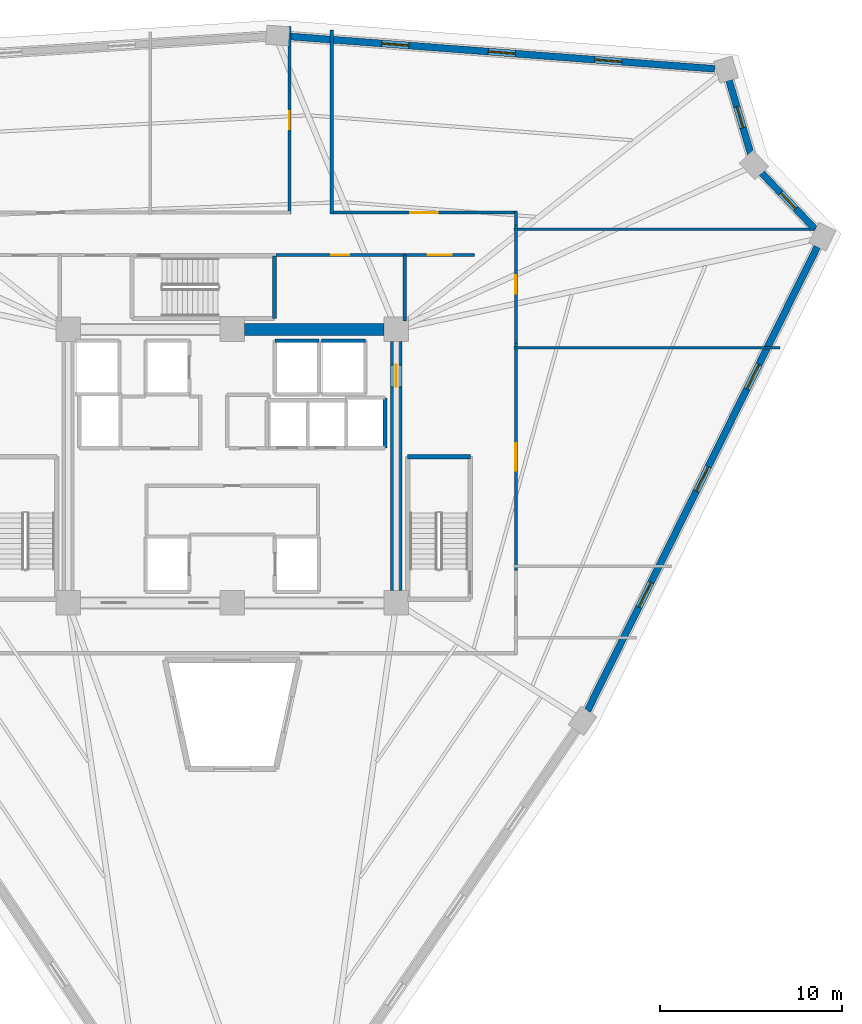
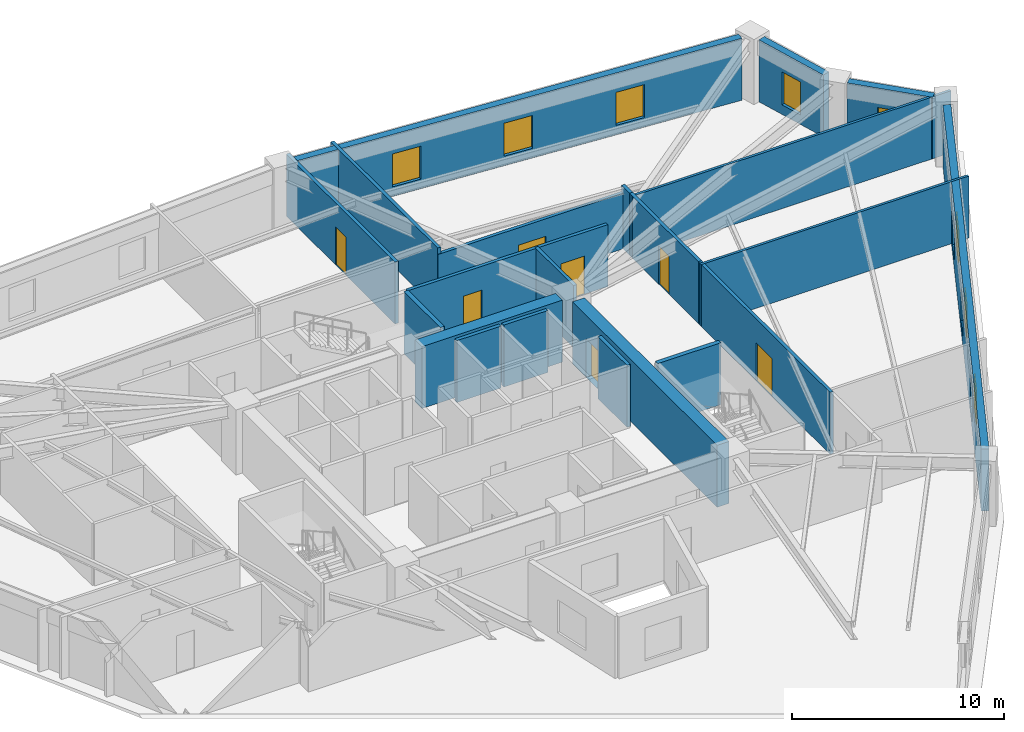
# One storey, part 6 of 8: 22 walls, 8 windows, 7 doors, 15 openings.
"""IFC4 building model written with IfcOpenShell, lengths in metres."""

from ifc_helpers import new_model, si_unit, direction, frame, frame_2d, origin, place, context, subcontext, project, spatial, rectangle, extrude, source, transform, mapped, material, layer, layer_set, type_object, element, fill, save


model = new_model("IFC4")

# Units and contexts
model_context = context("Model", 3, precision=1e-05, world=origin(), true_north=direction((0.0, 1.0)))
body_context = subcontext(model_context, "Body", "Model", "MODEL_VIEW")
ifc_project = project(units=[si_unit("LENGTHUNIT", "METRE"), si_unit("AREAUNIT", "SQUARE_METRE"), si_unit("VOLUMEUNIT", "CUBIC_METRE"), si_unit("PLANEANGLEUNIT", "RADIAN"), si_unit("MASSUNIT", "GRAM", prefix="KILO")], contexts=[model_context])

# Site, building, storey
site_placement = place(None, origin())
site = spatial("IfcSite", under=ifc_project, at=site_placement, CompositionType="ELEMENT")
building_placement = place(site_placement, origin())
building = spatial("IfcBuilding", under=site, at=building_placement, Name="Liaohun Quay Tower", CompositionType="ELEMENT")
storey_placement = place(building_placement, frame((0.0, 0.0, 243.75)))
storey = spatial("IfcBuildingStorey", under=building, at=storey_placement, Name="L63", CompositionType="ELEMENT", Elevation=243.75)

# Wall
ifc_material_1 = material(Name="Concrete C55", Category="concrete")
ifc_layer_1 = layer(ifc_material_1, 0.64990234375, Name="Concrete C55", Category="concrete")
ifc_layer_set_1 = layer_set([ifc_layer_1], Name="Concrete C55")
wall_type_1 = type_object("IfcWallType", Name="WAL-COR-Z3", PredefinedType="SHEAR", material=ifc_layer_set_1)
wall_1_placement = place(storey_placement, frame((60.675048828125, 61.5, 0.0), z_axis=(0.0, 0.0, 1.0), x_axis=(1.0, 0.0, 0.0)))
element("IfcWall", 1, at=wall_1_placement, inside=storey, type_object=wall_type_1, Name="L63 Central Core Shear Wall N-E", PredefinedType="SHEAR", context=body_context, shape_type="SweptSolid", body=[
    extrude(rectangle(XDim=7.64990234375, YDim=0.64990234375, at=frame_2d((3.824951171875, 0.0))), origin(), (0.0, 0.0, 1.0), 3.570068359375),
])

# Wall, opening, door
wall_2_placement = place(storey_placement, frame((69.0, 60.824951171875, 0.0), z_axis=(0.0, 0.0, 1.0), x_axis=(0.0, -1.0, 0.0)))
wall_2 = element("IfcWall", 2, at=wall_2_placement, inside=storey, type_object=wall_type_1, Name="L63 Central Core Shear Wall E", PredefinedType="SHEAR", context=body_context, shape_type="SweptSolid", body=[
    extrude(rectangle(XDim=13.64990234375, YDim=0.64990234375, at=frame_2d((6.824951171875, 0.0))), origin(), (0.0, 0.0, 1.0), 3.570068359375),
])
shared_shape_1 = source(origin(), body_context, "Body", "SweptSolid", [
    extrude(rectangle(XDim=1.199951171875, YDim=2.199951171875, at=frame_2d((0.60009765625, 1.10009765625))), frame((0.0, 0.3349609375, 0.0), z_axis=(0.0, -1.0, 0.0), x_axis=(1.0, 0.0, 0.0)), (0.0, 0.0, 1.0), 0.669921875),
])
opening_1_placement = place(wall_2_placement, frame((1.27490234375, 0.0, 0.0)))
opening_1 = element("IfcOpeningElement", 3, at=opening_1_placement, cuts=wall_2, Name="Opening SD1", PredefinedType="OPENING", context=body_context, shape_type="MappedRepresentation", body=[
    mapped(shared_shape_1, transform((0.0, 0.0, 0.0), x_axis=(1.0, 0.0, 0.0), y_axis=(0.0, 1.0, 0.0), z_axis=(0.0, 0.0, 1.0), scale=1.0)),
])
ifc_material_2 = material(Name="Galvanised steel fire door", Category="steel")
door_type_1 = type_object("IfcDoorType", Name="DOR-STR-1200", OperationType="NOTDEFINED", PredefinedType="DOOR", material=ifc_material_2)
shared_shape_2 = source(origin(), body_context, "Body", "SweptSolid", [
    extrude(rectangle(XDim=1.199951171875, YDim=2.199951171875, at=frame_2d((0.60009765625, 1.10009765625))), frame((0.0, 0.02490234375, 0.0), z_axis=(0.0, -1.0, 0.0), x_axis=(1.0, 0.0, 0.0)), (0.0, 0.0, 1.0), 0.050048828125),
])
door_1_placement = place(opening_1_placement, origin())
door_1 = element("IfcDoor", 4, at=door_1_placement, inside=storey, type_object=door_type_1, Name="L63 North-East Core Lobby Smokeproof Door", OperationType="SINGLE_SWING_LEFT", OverallHeight=2.199951171875, OverallWidth=1.199951171875, PredefinedType="DOOR", context=body_context, shape_type="MappedRepresentation", body=[
    mapped(shared_shape_2, transform((0.0, 0.0, 0.0), x_axis=(1.0, 0.0, 0.0), y_axis=(0.0, 1.0, 0.0), z_axis=(0.0, 0.0, 1.0), scale=1.0)),
])
fill(opening_1, door_1)

# Wall, openings, windows
ifc_material_3 = material(Name="Precast concrete C50 insulated sandwich", Category="concrete")
ifc_layer_2 = layer(ifc_material_3, 0.3798828125, Name="Precast concrete C50 insulated sandwich", Category="concrete")
ifc_layer_set_2 = layer_set([ifc_layer_2], Name="Precast concrete C50 insulated sandwich")
wall_type_2 = type_object("IfcWallType", Name="WAL-EXT-Z34", PredefinedType="SOLIDWALL", material=ifc_layer_set_2)
wall_3_placement = place(storey_placement, frame((79.48291015625, 40.5849609375, 0.0), z_axis=(0.0, 0.0, 1.0), x_axis=(0.444016540866, 0.896018588779, 0.0)))
wall_3 = element("IfcWall", 5, at=wall_3_placement, inside=storey, type_object=wall_type_2, Name="L63 Brutalist Precast Pier Wall 03", PredefinedType="SOLIDWALL", context=body_context, shape_type="SweptSolid", body=[
    extrude(rectangle(XDim=28.40234375, YDim=0.3798828125, at=frame_2d((14.201171875, 0.0))), origin(), (0.0, 0.0, 1.0), 3.570068359375),
])
shared_shape_3 = source(origin(), body_context, "Body", "SweptSolid", [
    extrude(rectangle(XDim=1.5, YDim=1.89990234375, at=frame_2d((0.75, 0.949951171875))), frame((0.0, 0.199951171875, 0.0), z_axis=(0.0, -1.0, 0.0), x_axis=(1.0, 0.0, 0.0)), (0.0, 0.0, 1.0), 0.39990234375),
])
opening_2_placement = place(wall_3_placement, frame((6.35107421875, 0.0, 0.550048828125)))
opening_2 = element("IfcOpeningElement", 6, at=opening_2_placement, cuts=wall_3, Name="Opening W03", PredefinedType="OPENING", context=body_context, shape_type="MappedRepresentation", body=[
    mapped(shared_shape_3, transform((0.0, 0.0, 0.0), x_axis=(1.0, 0.0, 0.0), y_axis=(0.0, 1.0, 0.0), z_axis=(0.0, 0.0, 1.0), scale=1.0)),
])
opening_3_placement = place(wall_3_placement, frame((13.450927734375, 0.0, 0.550048828125)))
opening_3 = element("IfcOpeningElement", 7, at=opening_3_placement, cuts=wall_3, Name="Opening W03", PredefinedType="OPENING", context=body_context, shape_type="MappedRepresentation", body=[
    mapped(shared_shape_3, transform((0.0, 0.0, 0.0), x_axis=(1.0, 0.0, 0.0), y_axis=(0.0, 1.0, 0.0), z_axis=(0.0, 0.0, 1.0), scale=1.0)),
])
opening_4_placement = place(wall_3_placement, frame((19.701904296875, 0.0, 0.550048828125)))
opening_4 = element("IfcOpeningElement", 8, at=opening_4_placement, cuts=wall_3, Name="Opening W03", PredefinedType="OPENING", context=body_context, shape_type="MappedRepresentation", body=[
    mapped(shared_shape_3, transform((0.0, 0.0, 0.0), x_axis=(1.0, 0.0, 0.0), y_axis=(0.0, 1.0, 0.0), z_axis=(0.0, 0.0, 1.0), scale=1.0)),
])
ifc_material_4 = material(Name="Triple Low-E argon glazing in thermally broken aluminium", Category="aluminium")
window_type_1 = type_object("IfcWindowType", Name="WIN-PUN-Z3", PartitioningType="DOUBLE_PANEL_VERTICAL", PredefinedType="WINDOW", material=ifc_material_4)
shared_shape_4 = source(origin(), body_context, "Body", "SweptSolid", [
    extrude(rectangle(XDim=1.5, YDim=1.89990234375, at=frame_2d((0.75, 0.949951171875))), frame((0.0, 0.030029296875, 0.0), z_axis=(0.0, -1.0, 0.0), x_axis=(1.0, 0.0, 0.0)), (0.0, 0.0, 1.0), 0.06005859375),
])
window_1_placement = place(opening_2_placement, origin())
window_1 = element("IfcWindow", 9, at=window_1_placement, inside=storey, type_object=window_type_1, Name="L63 Recessed Cold-Climate Punched Window 03-1", OverallHeight=1.89990234375, OverallWidth=1.5, PartitioningType="DOUBLE_PANEL_VERTICAL", PredefinedType="WINDOW", context=body_context, shape_type="MappedRepresentation", body=[
    mapped(shared_shape_4, transform((0.0, 0.0, 0.0), x_axis=(1.0, 0.0, 0.0), y_axis=(0.0, 1.0, 0.0), z_axis=(0.0, 0.0, 1.0), scale=1.0)),
])
fill(opening_2, window_1)
window_2_placement = place(opening_3_placement, origin())
window_2 = element("IfcWindow", 10, at=window_2_placement, inside=storey, type_object=window_type_1, Name="L63 Recessed Cold-Climate Punched Window 03-2", OverallHeight=1.89990234375, OverallWidth=1.5, PartitioningType="DOUBLE_PANEL_VERTICAL", PredefinedType="WINDOW", context=body_context, shape_type="MappedRepresentation", body=[
    mapped(shared_shape_4, transform((0.0, 0.0, 0.0), x_axis=(1.0, 0.0, 0.0), y_axis=(0.0, 1.0, 0.0), z_axis=(0.0, 0.0, 1.0), scale=1.0)),
])
fill(opening_3, window_2)
window_3_placement = place(opening_4_placement, origin())
window_3 = element("IfcWindow", 11, at=window_3_placement, inside=storey, type_object=window_type_1, Name="L63 Recessed Cold-Climate Punched Window 03-3", OverallHeight=1.89990234375, OverallWidth=1.5, PartitioningType="DOUBLE_PANEL_VERTICAL", PredefinedType="WINDOW", context=body_context, shape_type="MappedRepresentation", body=[
    mapped(shared_shape_4, transform((0.0, 0.0, 0.0), x_axis=(1.0, 0.0, 0.0), y_axis=(0.0, 1.0, 0.0), z_axis=(0.0, 0.0, 1.0), scale=1.0)),
])
fill(opening_4, window_3)

# Wall, opening, window
wall_4_placement = place(storey_placement, frame((91.943115234375, 67.031005859375, 0.0), z_axis=(0.0, 0.0, 1.0), x_axis=(-0.689450799111, 0.724332517291, 0.0)))
wall_4 = element("IfcWall", 12, at=wall_4_placement, inside=storey, type_object=wall_type_2, Name="L63 Brutalist Precast Pier Wall 04", PredefinedType="SOLIDWALL", context=body_context, shape_type="SweptSolid", body=[
    extrude(rectangle(XDim=4.20654296875, YDim=0.3798828125, at=frame_2d((2.103271484375, 0.0))), origin(), (0.0, 0.0, 1.0), 3.570068359375),
])
shared_shape_5 = source(origin(), body_context, "Body", "SweptSolid", [
    extrude(rectangle(XDim=1.199951171875, YDim=1.89990234375, at=frame_2d((0.60009765625, 0.949951171875))), frame((0.0, 0.199951171875, 0.0), z_axis=(0.0, -1.0, 0.0), x_axis=(1.0, 0.0, 0.0)), (0.0, 0.0, 1.0), 0.39990234375),
])
opening_5_placement = place(wall_4_placement, frame((1.5029296875, 0.0, 0.550048828125)))
opening_5 = element("IfcOpeningElement", 13, at=opening_5_placement, cuts=wall_4, Name="Opening W05", PredefinedType="OPENING", context=body_context, shape_type="MappedRepresentation", body=[
    mapped(shared_shape_5, transform((0.0, 0.0, 0.0), x_axis=(1.0, 0.0, 0.0), y_axis=(0.0, 1.0, 0.0), z_axis=(0.0, 0.0, 1.0), scale=1.0)),
])
ifc_material_5 = material(Name="Triple Low-E corner notch glazing", Category="glass")
window_type_2 = type_object("IfcWindowType", Name="WIN-NOTCH", PartitioningType="SINGLE_PANEL", PredefinedType="WINDOW", material=ifc_material_5)
shared_shape_6 = source(origin(), body_context, "Body", "SweptSolid", [
    extrude(rectangle(XDim=1.199951171875, YDim=1.89990234375, at=frame_2d((0.60009765625, 0.949951171875))), frame((0.0, 0.030029296875, 0.0), z_axis=(0.0, -1.0, 0.0), x_axis=(1.0, 0.0, 0.0)), (0.0, 0.0, 1.0), 0.06005859375),
])
window_4_placement = place(opening_5_placement, origin())
window_4 = element("IfcWindow", 14, at=window_4_placement, inside=storey, type_object=window_type_2, Name="L63 Corner Notch Window W05-04", OverallHeight=1.89990234375, OverallWidth=1.199951171875, PartitioningType="SINGLE_PANEL", PredefinedType="WINDOW", context=body_context, shape_type="MappedRepresentation", body=[
    mapped(shared_shape_6, transform((0.0, 0.0, 0.0), x_axis=(1.0, 0.0, 0.0), y_axis=(0.0, 1.0, 0.0), z_axis=(0.0, 0.0, 1.0), scale=1.0)),
])
fill(opening_5, window_4)

wall_5_placement = place(storey_placement, frame((88.445068359375, 71.114013671875, 0.0), z_axis=(0.0, 0.0, 1.0), x_axis=(-0.282677574057, 0.959214985874, 0.0)))
wall_5 = element("IfcWall", 15, at=wall_5_placement, inside=storey, type_object=wall_type_2, Name="L63 Brutalist Precast Pier Wall 05", PredefinedType="SOLIDWALL", context=body_context, shape_type="SweptSolid", body=[
    extrude(rectangle(XDim=4.2138671875, YDim=0.3798828125, at=frame_2d((2.10693359375, 0.0))), origin(), (0.0, 0.0, 1.0), 3.570068359375),
])
opening_6_placement = place(wall_5_placement, frame((1.507080078125, 0.0, 0.550048828125)))
opening_6 = element("IfcOpeningElement", 16, at=opening_6_placement, cuts=wall_5, Name="Opening W05", PredefinedType="OPENING", context=body_context, shape_type="MappedRepresentation", body=[
    mapped(shared_shape_5, transform((0.0, 0.0, 0.0), x_axis=(1.0, 0.0, 0.0), y_axis=(0.0, 1.0, 0.0), z_axis=(0.0, 0.0, 1.0), scale=1.0)),
])
window_5_placement = place(opening_6_placement, origin())
window_5 = element("IfcWindow", 17, at=window_5_placement, inside=storey, type_object=window_type_2, Name="L63 Corner Notch Window W05-05", OverallHeight=1.89990234375, OverallWidth=1.199951171875, PartitioningType="SINGLE_PANEL", PredefinedType="WINDOW", context=body_context, shape_type="MappedRepresentation", body=[
    mapped(shared_shape_6, transform((0.0, 0.0, 0.0), x_axis=(1.0, 0.0, 0.0), y_axis=(0.0, 1.0, 0.0), z_axis=(0.0, 0.0, 1.0), scale=1.0)),
])
fill(opening_6, window_5)

# Wall, openings, windows
wall_6_placement = place(storey_placement, frame((86.467041015625, 75.79296875, 0.0), z_axis=(0.0, 0.0, 1.0), x_axis=(-0.997110119143, 0.075969798617, 0.0)))
wall_6 = element("IfcWall", 18, at=wall_6_placement, inside=storey, type_object=wall_type_2, Name="L63 Brutalist Precast Pier Wall 06", PredefinedType="SOLIDWALL", context=body_context, shape_type="SweptSolid", body=[
    extrude(rectangle(XDim=23.4306640625, YDim=0.3798828125, at=frame_2d((11.71533203125, 0.0))), origin(), (0.0, 0.0, 1.0), 3.570068359375),
])
opening_7_placement = place(wall_6_placement, frame((5.10791015625, 0.0, 0.550048828125)))
opening_7 = element("IfcOpeningElement", 19, at=opening_7_placement, cuts=wall_6, Name="Opening W03", PredefinedType="OPENING", context=body_context, shape_type="MappedRepresentation", body=[
    mapped(shared_shape_3, transform((0.0, 0.0, 0.0), x_axis=(1.0, 0.0, 0.0), y_axis=(0.0, 1.0, 0.0), z_axis=(0.0, 0.0, 1.0), scale=1.0)),
])
opening_8_placement = place(wall_6_placement, frame((10.965087890625, 0.0, 0.550048828125)))
opening_8 = element("IfcOpeningElement", 20, at=opening_8_placement, cuts=wall_6, Name="Opening W03", PredefinedType="OPENING", context=body_context, shape_type="MappedRepresentation", body=[
    mapped(shared_shape_3, transform((0.0, 0.0, 0.0), x_axis=(1.0, 0.0, 0.0), y_axis=(0.0, 1.0, 0.0), z_axis=(0.0, 0.0, 1.0), scale=1.0)),
])
opening_9_placement = place(wall_6_placement, frame((16.822998046875, 0.0, 0.550048828125)))
opening_9 = element("IfcOpeningElement", 21, at=opening_9_placement, cuts=wall_6, Name="Opening W03", PredefinedType="OPENING", context=body_context, shape_type="MappedRepresentation", body=[
    mapped(shared_shape_3, transform((0.0, 0.0, 0.0), x_axis=(1.0, 0.0, 0.0), y_axis=(0.0, 1.0, 0.0), z_axis=(0.0, 0.0, 1.0), scale=1.0)),
])
window_6_placement = place(opening_7_placement, origin())
window_6 = element("IfcWindow", 22, at=window_6_placement, inside=storey, type_object=window_type_1, Name="L63 Recessed Cold-Climate Punched Window 06-1", OverallHeight=1.89990234375, OverallWidth=1.5, PartitioningType="DOUBLE_PANEL_VERTICAL", PredefinedType="WINDOW", context=body_context, shape_type="MappedRepresentation", body=[
    mapped(shared_shape_4, transform((0.0, 0.0, 0.0), x_axis=(1.0, 0.0, 0.0), y_axis=(0.0, 1.0, 0.0), z_axis=(0.0, 0.0, 1.0), scale=1.0)),
])
fill(opening_7, window_6)
window_7_placement = place(opening_8_placement, origin())
window_7 = element("IfcWindow", 23, at=window_7_placement, inside=storey, type_object=window_type_1, Name="L63 Recessed Cold-Climate Punched Window 06-2", OverallHeight=1.89990234375, OverallWidth=1.5, PartitioningType="DOUBLE_PANEL_VERTICAL", PredefinedType="WINDOW", context=body_context, shape_type="MappedRepresentation", body=[
    mapped(shared_shape_4, transform((0.0, 0.0, 0.0), x_axis=(1.0, 0.0, 0.0), y_axis=(0.0, 1.0, 0.0), z_axis=(0.0, 0.0, 1.0), scale=1.0)),
])
fill(opening_8, window_7)
window_8_placement = place(opening_9_placement, origin())
window_8 = element("IfcWindow", 24, at=window_8_placement, inside=storey, type_object=window_type_1, Name="L63 Recessed Cold-Climate Punched Window 06-3", OverallHeight=1.89990234375, OverallWidth=1.5, PartitioningType="DOUBLE_PANEL_VERTICAL", PredefinedType="WINDOW", context=body_context, shape_type="MappedRepresentation", body=[
    mapped(shared_shape_4, transform((0.0, 0.0, 0.0), x_axis=(1.0, 0.0, 0.0), y_axis=(0.0, 1.0, 0.0), z_axis=(0.0, 0.0, 1.0), scale=1.0)),
])
fill(opening_9, window_8)

# Wall, opening, door
ifc_material_6 = material(Name="Autoclaved aerated concrete blockwork", Category="masonry")
ifc_layer_3 = layer(ifc_material_6, 0.179931640625, Name="Autoclaved aerated concrete blockwork", Category="masonry")
ifc_layer_set_3 = layer_set([ifc_layer_3], Name="Autoclaved aerated concrete blockwork")
wall_type_3 = type_object("IfcWallType", Name="WAL-PRT-COR", PredefinedType="PARTITIONING", material=ifc_layer_set_3)
wall_7_placement = place(storey_placement, frame((62.389892578125, 65.580078125, 0.0), z_axis=(0.0, 0.0, 1.0), x_axis=(1.0, 0.0, 0.0)))
wall_7 = element("IfcWall", 25, at=wall_7_placement, inside=storey, type_object=wall_type_3, Name="L63 Interior Partition Wall 008", PredefinedType="PARTITIONING", context=body_context, shape_type="SweptSolid", body=[
    extrude(rectangle(XDim=7.070068359375, YDim=0.179931640625, at=frame_2d((3.53515625, 0.0))), origin(), (0.0, 0.0, 1.0), 3.570068359375),
])
shared_shape_7 = source(origin(), body_context, "Body", "SweptSolid", [
    extrude(rectangle(XDim=1.0, YDim=2.199951171875, at=frame_2d((0.5, 1.10009765625))), frame((0.0, 0.099853515625, 0.0), z_axis=(0.0, -1.0, 0.0), x_axis=(1.0, 0.0, 0.0)), (0.0, 0.0, 1.0), 0.199951171875),
])
opening_10_placement = place(wall_7_placement, frame((3.034912109375, 0.0, 0.0)))
opening_10 = element("IfcOpeningElement", 26, at=opening_10_placement, cuts=wall_7, Name="Opening OD1", PredefinedType="OPENING", context=body_context, shape_type="MappedRepresentation", body=[
    mapped(shared_shape_7, transform((0.0, 0.0, 0.0), x_axis=(1.0, 0.0, 0.0), y_axis=(0.0, 1.0, 0.0), z_axis=(0.0, 0.0, 1.0), scale=1.0)),
])
ifc_material_7 = material(Name="Solid-core oak veneer timber leaf in steel frame", Category="steel")
door_type_2 = type_object("IfcDoorType", Name="DOR-OFF-1000", OperationType="NOTDEFINED", PredefinedType="DOOR", material=ifc_material_7)
shared_shape_8 = source(origin(), body_context, "Body", "SweptSolid", [
    extrude(rectangle(XDim=1.0, YDim=2.199951171875, at=frame_2d((0.5, 1.10009765625))), frame((0.0, 0.02490234375, 0.0), z_axis=(0.0, -1.0, 0.0), x_axis=(1.0, 0.0, 0.0)), (0.0, 0.0, 1.0), 0.050048828125),
])
door_2_placement = place(opening_10_placement, origin())
door_2 = element("IfcDoor", 27, at=door_2_placement, inside=storey, type_object=door_type_2, Name="L63 North-East Archive and Mail Room Door", OperationType="SINGLE_SWING_RIGHT", OverallHeight=2.199951171875, OverallWidth=1.0, PredefinedType="DOOR", context=body_context, shape_type="MappedRepresentation", body=[
    mapped(shared_shape_8, transform((0.0, 0.0, 0.0), x_axis=(1.0, 0.0, 0.0), y_axis=(0.0, 1.0, 0.0), z_axis=(0.0, 0.0, 1.0), scale=1.0)),
])
fill(opening_10, door_2)

wall_8_placement = place(storey_placement, frame((69.4599609375, 65.580078125, 0.0), z_axis=(0.0, 0.0, 1.0), x_axis=(1.0, 0.0, 0.0)))
wall_8 = element("IfcWall", 28, at=wall_8_placement, inside=storey, type_object=wall_type_3, Name="L63 Interior Partition Wall 010", PredefinedType="PARTITIONING", context=body_context, shape_type="SweptSolid", body=[
    extrude(rectangle(XDim=3.840087890625, YDim=0.179931640625, at=frame_2d((1.919921875, 0.0))), origin(), (0.0, 0.0, 1.0), 3.570068359375),
])
shared_shape_9 = source(origin(), body_context, "Body", "SweptSolid", [
    extrude(rectangle(XDim=1.300048828125, YDim=2.199951171875, at=frame_2d((0.64990234375, 1.10009765625))), frame((0.0, 0.099853515625, 0.0), z_axis=(0.0, -1.0, 0.0), x_axis=(1.0, 0.0, 0.0)), (0.0, 0.0, 1.0), 0.199951171875),
])
opening_11_placement = place(wall_8_placement, frame((1.27001953125, 0.0, 0.0)))
opening_11 = element("IfcOpeningElement", 29, at=opening_11_placement, cuts=wall_8, Name="Opening FD1", PredefinedType="OPENING", context=body_context, shape_type="MappedRepresentation", body=[
    mapped(shared_shape_9, transform((0.0, 0.0, 0.0), x_axis=(1.0, 0.0, 0.0), y_axis=(0.0, 1.0, 0.0), z_axis=(0.0, 0.0, 1.0), scale=1.0)),
])
ifc_material_8 = material(Name="Galvanised steel smokeproof fire door", Category="steel")
door_type_3 = type_object("IfcDoorType", Name="DOR-FFL-1300", OperationType="NOTDEFINED", PredefinedType="DOOR", material=ifc_material_8)
shared_shape_10 = source(origin(), body_context, "Body", "SweptSolid", [
    extrude(rectangle(XDim=1.300048828125, YDim=2.199951171875, at=frame_2d((0.64990234375, 1.10009765625))), frame((0.0, 0.02490234375, 0.0), z_axis=(0.0, -1.0, 0.0), x_axis=(1.0, 0.0, 0.0)), (0.0, 0.0, 1.0), 0.050048828125),
])
door_3_placement = place(opening_11_placement, origin())
door_3 = element("IfcDoor", 30, at=door_3_placement, inside=storey, type_object=door_type_3, Name="L63 East Core Vestibule Door", OperationType="SINGLE_SWING_RIGHT", OverallHeight=2.199951171875, OverallWidth=1.300048828125, PredefinedType="DOOR", context=body_context, shape_type="MappedRepresentation", body=[
    mapped(shared_shape_10, transform((0.0, 0.0, 0.0), x_axis=(1.0, 0.0, 0.0), y_axis=(0.0, 1.0, 0.0), z_axis=(0.0, 0.0, 1.0), scale=1.0)),
])
fill(opening_11, door_3)

wall_9_placement = place(storey_placement, frame((75.56005859375, 60.715087890625, 0.0), z_axis=(0.0, 0.0, 1.0), x_axis=(0.0, -1.0, 0.0)))
wall_9 = element("IfcWall", 31, at=wall_9_placement, inside=storey, type_object=wall_type_3, Name="L63 Interior Partition Wall 011", PredefinedType="PARTITIONING", context=body_context, shape_type="SweptSolid", body=[
    extrude(rectangle(XDim=12.43017578125, YDim=0.179931640625, at=frame_2d((6.215087890625, 0.0))), origin(), (0.0, 0.0, 1.0), 3.570068359375),
])
shared_shape_11 = source(origin(), body_context, "Body", "SweptSolid", [
    extrude(rectangle(XDim=1.5, YDim=2.199951171875, at=frame_2d((0.75, 1.10009765625))), frame((0.0, 0.099853515625, 0.0), z_axis=(0.0, -1.0, 0.0), x_axis=(1.0, 0.0, 0.0)), (0.0, 0.0, 1.0), 0.199951171875),
])
opening_12_placement = place(wall_9_placement, frame((5.465087890625, 0.0, 0.0)))
opening_12 = element("IfcOpeningElement", 32, at=opening_12_placement, cuts=wall_9, Name="Opening OD2", PredefinedType="OPENING", context=body_context, shape_type="MappedRepresentation", body=[
    mapped(shared_shape_11, transform((0.0, 0.0, 0.0), x_axis=(1.0, 0.0, 0.0), y_axis=(0.0, 1.0, 0.0), z_axis=(0.0, 0.0, 1.0), scale=1.0)),
])
ifc_material_9 = material(Name="Acoustic oak veneer double door")
door_type_4 = type_object("IfcDoorType", Name="DOR-OFF-1500", OperationType="DOUBLE_DOOR_SINGLE_SWING", PredefinedType="DOOR", material=ifc_material_9)
shared_shape_12 = source(origin(), body_context, "Body", "SweptSolid", [
    extrude(rectangle(XDim=1.5, YDim=2.199951171875, at=frame_2d((0.75, 1.10009765625))), frame((0.0, 0.02490234375, 0.0), z_axis=(0.0, -1.0, 0.0), x_axis=(1.0, 0.0, 0.0)), (0.0, 0.0, 1.0), 0.050048828125),
])
door_4_placement = place(opening_12_placement, origin())
door_4 = element("IfcDoor", 33, at=door_4_placement, inside=storey, type_object=door_type_4, Name="L63 Digital Prototyping Laboratory 01 Door", OperationType="DOUBLE_DOOR_SINGLE_SWING", OverallHeight=2.199951171875, OverallWidth=1.5, PredefinedType="DOOR", context=body_context, shape_type="MappedRepresentation", body=[
    mapped(shared_shape_12, transform((0.0, 0.0, 0.0), x_axis=(1.0, 0.0, 0.0), y_axis=(0.0, 1.0, 0.0), z_axis=(0.0, 0.0, 1.0), scale=1.0)),
])
fill(opening_12, door_4)

wall_10_placement = place(storey_placement, frame((75.56005859375, 67.215087890625, 0.0), z_axis=(0.0, 0.0, 1.0), x_axis=(0.0, -1.0, 0.0)))
wall_10 = element("IfcWall", 34, at=wall_10_placement, inside=storey, type_object=wall_type_3, Name="L63 Interior Partition Wall 012", PredefinedType="PARTITIONING", context=body_context, shape_type="SweptSolid", body=[
    extrude(rectangle(XDim=6.5, YDim=0.179931640625, at=frame_2d((3.25, 0.0))), origin(), (0.0, 0.0, 1.0), 3.570068359375),
])
opening_13_placement = place(wall_10_placement, frame((2.75, 0.0, 0.0)))
opening_13 = element("IfcOpeningElement", 35, at=opening_13_placement, cuts=wall_10, Name="Opening OD1", PredefinedType="OPENING", context=body_context, shape_type="MappedRepresentation", body=[
    mapped(shared_shape_7, transform((0.0, 0.0, 0.0), x_axis=(1.0, 0.0, 0.0), y_axis=(0.0, 1.0, 0.0), z_axis=(0.0, 0.0, 1.0), scale=1.0)),
])
door_5_placement = place(opening_13_placement, origin())
door_5 = element("IfcDoor", 36, at=door_5_placement, inside=storey, type_object=door_type_2, Name="L63 Engineering Model Workshop 02 Door", OperationType="SINGLE_SWING_RIGHT", OverallHeight=2.199951171875, OverallWidth=1.0, PredefinedType="DOOR", context=body_context, shape_type="MappedRepresentation", body=[
    mapped(shared_shape_8, transform((0.0, 0.0, 0.0), x_axis=(1.0, 0.0, 0.0), y_axis=(0.0, 1.0, 0.0), z_axis=(0.0, 0.0, 1.0), scale=1.0)),
])
fill(opening_13, door_5)

wall_11_placement = place(storey_placement, frame((65.389892578125, 67.909912109375, 0.0), z_axis=(0.0, 0.0, 1.0), x_axis=(1.0, 0.0, 0.0)))
wall_11 = element("IfcWall", 37, at=wall_11_placement, inside=storey, type_object=wall_type_3, Name="L63 Interior Partition Wall 013", PredefinedType="PARTITIONING", context=body_context, shape_type="SweptSolid", body=[
    extrude(rectangle(XDim=10.239990234375, YDim=0.179931640625, at=frame_2d((5.1201171875, 0.0))), origin(), (0.0, 0.0, 1.0), 3.205078125),
])
opening_14_placement = place(wall_11_placement, frame((4.3701171875, 0.0, 0.0)))
opening_14 = element("IfcOpeningElement", 38, at=opening_14_placement, cuts=wall_11, Name="Opening OD2", PredefinedType="OPENING", context=body_context, shape_type="MappedRepresentation", body=[
    mapped(shared_shape_11, transform((0.0, 0.0, 0.0), x_axis=(1.0, 0.0, 0.0), y_axis=(0.0, 1.0, 0.0), z_axis=(0.0, 0.0, 1.0), scale=1.0)),
])
door_6_placement = place(opening_14_placement, origin())
door_6 = element("IfcDoor", 39, at=door_6_placement, inside=storey, type_object=door_type_4, Name="L63 Digital Prototyping Laboratory 03 Door", OperationType="DOUBLE_DOOR_SINGLE_SWING", OverallHeight=2.199951171875, OverallWidth=1.5, PredefinedType="DOOR", context=body_context, shape_type="MappedRepresentation", body=[
    mapped(shared_shape_12, transform((0.0, 0.0, 0.0), x_axis=(1.0, 0.0, 0.0), y_axis=(0.0, 1.0, 0.0), z_axis=(0.0, 0.0, 1.0), scale=1.0)),
])
fill(opening_14, door_6)

wall_12_placement = place(storey_placement, frame((63.139892578125, 67.840087890625, 0.0), z_axis=(0.0, 0.0, 1.0), x_axis=(0.0, 1.0, 0.0)))
wall_12 = element("IfcWall", 40, at=wall_12_placement, inside=storey, type_object=wall_type_3, Name="L63 Interior Partition Wall 014", PredefinedType="PARTITIONING", context=body_context, shape_type="SweptSolid", body=[
    extrude(rectangle(XDim=10.27197265625, YDim=0.179931640625, at=frame_2d((5.135986328125, 0.0))), origin(), (0.0, 0.0, 1.0), 3.570068359375),
])
opening_15_placement = place(wall_12_placement, frame((4.635986328125, 0.0, 0.0)))
opening_15 = element("IfcOpeningElement", 41, at=opening_15_placement, cuts=wall_12, Name="Opening OD1", PredefinedType="OPENING", context=body_context, shape_type="MappedRepresentation", body=[
    mapped(shared_shape_7, transform((0.0, 0.0, 0.0), x_axis=(1.0, 0.0, 0.0), y_axis=(0.0, 1.0, 0.0), z_axis=(0.0, 0.0, 1.0), scale=1.0)),
])
door_7_placement = place(opening_15_placement, origin())
door_7 = element("IfcDoor", 42, at=door_7_placement, inside=storey, type_object=door_type_2, Name="L63 Project Collaboration Studio 04 Door", OperationType="SINGLE_SWING_RIGHT", OverallHeight=2.199951171875, OverallWidth=1.0, PredefinedType="DOOR", context=body_context, shape_type="MappedRepresentation", body=[
    mapped(shared_shape_8, transform((0.0, 0.0, 0.0), x_axis=(1.0, 0.0, 0.0), y_axis=(0.0, 1.0, 0.0), z_axis=(0.0, 0.0, 1.0), scale=1.0)),
])
fill(opening_15, door_7)

# Walls
wall_13_placement = place(storey_placement, frame((69.4599609375, 61.949951171875, 0.0), z_axis=(0.0, 0.0, 1.0), x_axis=(0.0, 1.0, 0.0)))
element("IfcWall", 43, at=wall_13_placement, inside=storey, type_object=wall_type_3, Name="L63 Interior Partition Wall 030", PredefinedType="PARTITIONING", context=body_context, shape_type="SweptSolid", body=[
    extrude(rectangle(XDim=3.630126953125, YDim=0.179931640625, at=frame_2d((1.81494140625, 0.0))), origin(), (0.0, 0.0, 1.0), 3.570068359375),
])
wall_14_placement = place(storey_placement, frame((65.4599609375, 77.93505859375, 0.0), z_axis=(0.0, 0.0, 1.0), x_axis=(0.0, -1.0, 0.0)))
element("IfcWall", 44, at=wall_14_placement, inside=storey, type_object=wall_type_3, Name="L63 Interior Partition Wall 031", PredefinedType="PARTITIONING", context=body_context, shape_type="SweptSolid", body=[
    extrude(rectangle(XDim=10.094970703125, YDim=0.179931640625, at=frame_2d((5.04736328125, 0.0))), origin(), (0.0, 0.0, 1.0), 3.570068359375),
])
wall_15_placement = place(storey_placement, frame((75.56005859375, 67.97998046875, 0.0), z_axis=(0.0, 0.0, 1.0), x_axis=(0.0, -1.0, 0.0)))
element("IfcWall", 45, at=wall_15_placement, inside=storey, type_object=wall_type_3, Name="L63 Interior Partition Wall 032", PredefinedType="PARTITIONING", context=body_context, shape_type="SweptSolid", body=[
    extrude(rectangle(XDim=0.764892578125, YDim=0.179931640625, at=frame_2d((0.38232421875, 0.0))), origin(), (0.0, 0.0, 1.0), 3.570068359375),
])
ifc_material_10 = material(Name="Gypsum board on twin steel studs", Category="steel")
ifc_layer_4 = layer(ifc_material_10, 0.139892578125, Name="Gypsum board on twin steel studs", Category="steel")
ifc_layer_set_4 = layer_set([ifc_layer_4], Name="Gypsum board on twin steel studs")
wall_type_4 = type_object("IfcWallType", Name="WAL-PRT-OFF", PredefinedType="PARTITIONING", material=ifc_layer_set_4)
wall_16_placement = place(storey_placement, frame((75.4599609375, 60.5, 0.0), z_axis=(0.0, 0.0, 1.0), x_axis=(1.0, 0.0, 0.0)))
element("IfcWall", 46, at=wall_16_placement, inside=storey, type_object=wall_type_4, Name="L63 Interior Partition Wall 045", PredefinedType="PARTITIONING", context=body_context, shape_type="SweptSolid", body=[
    extrude(rectangle(XDim=14.594970703125, YDim=0.139892578125, at=frame_2d((7.29736328125, 0.0))), origin(), (0.0, 0.0, 1.0), 3.570068359375),
])
wall_17_placement = place(storey_placement, frame((75.4599609375, 67.0, 0.0), z_axis=(0.0, 0.0, 1.0), x_axis=(1.0, 0.0, 0.0)))
element("IfcWall", 47, at=wall_17_placement, inside=storey, type_object=wall_type_4, Name="L63 Interior Partition Wall 046", PredefinedType="PARTITIONING", context=body_context, shape_type="SweptSolid", body=[
    extrude(rectangle(XDim=17.382080078125, YDim=0.139892578125, at=frame_2d((8.69091796875, 0.0))), origin(), (0.0, 0.0, 1.0), 3.570068359375),
])
ifc_material_11 = material(Name="Concrete C50", Category="concrete")
ifc_layer_5 = layer(ifc_material_11, 0.239990234375, Name="Concrete C50", Category="concrete")
ifc_layer_set_5 = layer_set([ifc_layer_5], Name="Concrete C50")
wall_type_5 = type_object("IfcWallType", Name="WAL-SHF-200", PredefinedType="SOLIDWALL", material=ifc_layer_set_5)
for number, where, z_axis, x_axis, name in (
    (48, (73.06005859375, 54.52001953125, 0.0), (0.0, 0.0, 1.0), (-1.0, 0.0, 0.0), "L63 Stairwell ST-2 Structural Core Wall N"),
    (49, (62.320068359375, 62.10009765625, 0.0), (0.0, 0.0, 1.0), (0.0, 1.0, 0.0), "L63 Stairwell ST-3 Structural Core Wall E"),
):
    element("IfcWall", number, at=place(storey_placement, frame(where, z_axis=z_axis, x_axis=x_axis)), inside=storey, type_object=wall_type_5, Name=name, PredefinedType="SOLIDWALL", context=body_context, shape_type="SweptSolid", body=[
        extrude(rectangle(XDim=3.43994140625, YDim=0.239990234375, at=frame_2d((1.719970703125, 0.0))), origin(), (0.0, 0.0, 1.0), 3.570068359375),
    ])
wall_18_placement = place(storey_placement, frame((64.75, 60.8798828125, 0.0), z_axis=(0.0, 0.0, 1.0), x_axis=(-1.0, 0.0, 0.0)))
element("IfcWall", 50, at=wall_18_placement, inside=storey, type_object=wall_type_5, Name="L63 Lift OB-01 Hoistway Wall N", PredefinedType="SOLIDWALL", context=body_context, shape_type="SweptSolid", body=[
    extrude(rectangle(XDim=2.39990234375, YDim=0.199951171875, at=frame_2d((1.199951171875, 0.0))), origin(), (0.0, 0.0, 1.0), 3.570068359375),
])
wall_19_placement = place(storey_placement, frame((67.300048828125, 60.8798828125, 0.0), z_axis=(0.0, 0.0, 1.0), x_axis=(-1.0, 0.0, 0.0)))
element("IfcWall", 51, at=wall_19_placement, inside=storey, type_object=wall_type_5, Name="L63 Lift OB-02 Hoistway Wall N", PredefinedType="SOLIDWALL", context=body_context, shape_type="SweptSolid", body=[
    extrude(rectangle(XDim=2.400146484375, YDim=0.199951171875, at=frame_2d((1.2001953125, 0.0))), origin(), (0.0, 0.0, 1.0), 3.570068359375),
])
wall_20_placement = place(storey_placement, frame((68.3798828125, 55.0, 0.0), z_axis=(0.0, 0.0, 1.0), x_axis=(0.0, 1.0, 0.0)))
element("IfcWall", 52, at=wall_20_placement, inside=storey, type_object=wall_type_5, Name="L63 Lift SH-03 Hoistway Wall E", PredefinedType="SOLIDWALL", context=body_context, shape_type="SweptSolid", body=[
    extrude(rectangle(XDim=2.75, YDim=0.199951171875, at=frame_2d((1.375, 0.0))), origin(), (0.0, 0.0, 1.0), 3.570068359375),
])

save(model, "model.ifc")
